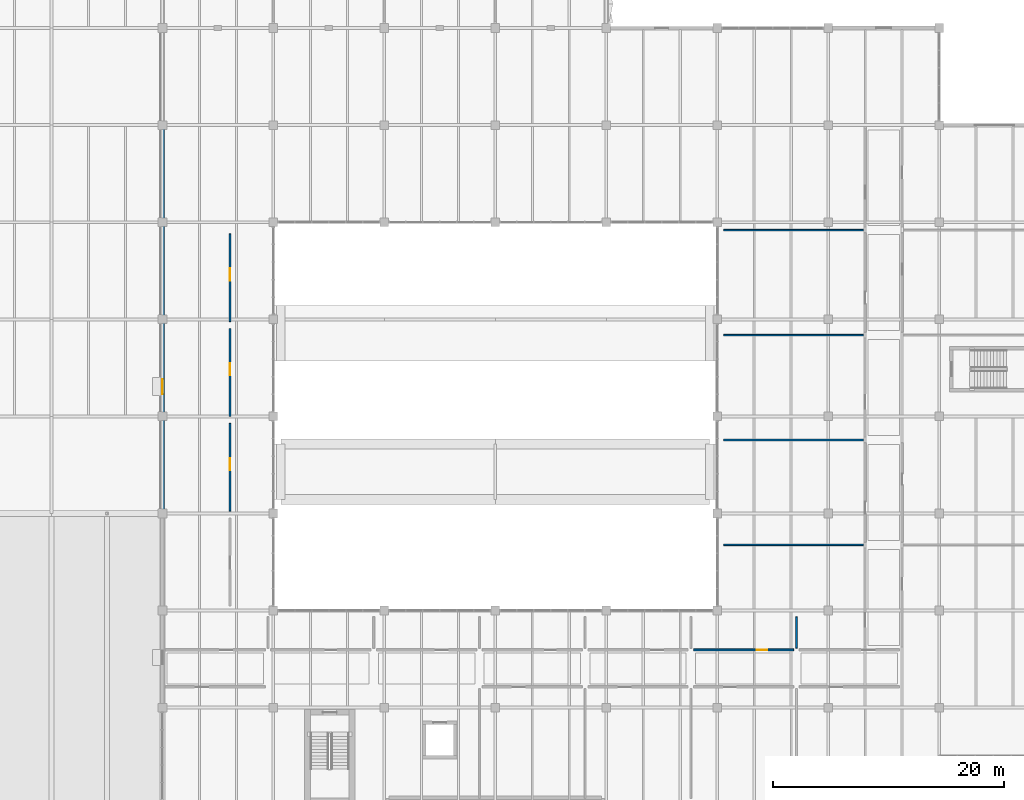
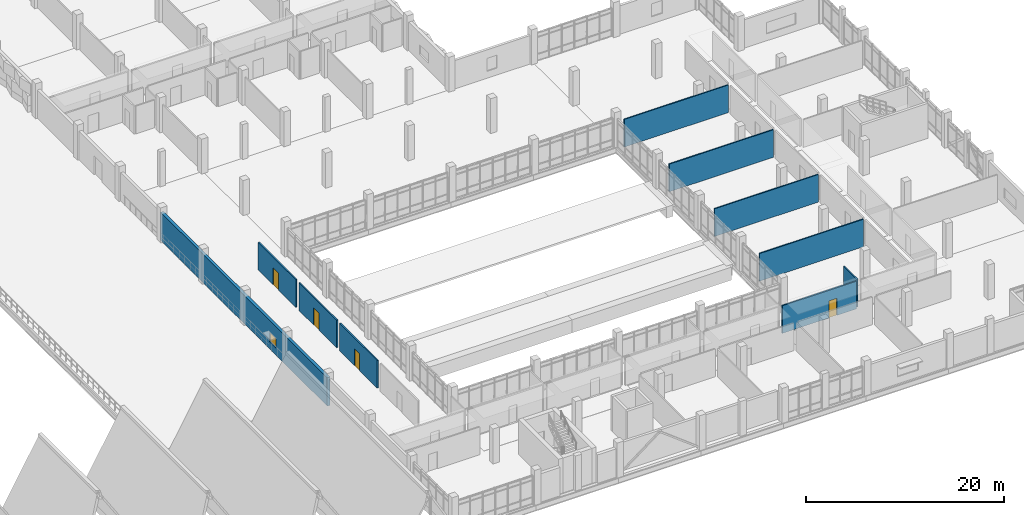
# One storey, part 61 of 86: 10 walls, 4 doors, 1 window, 5 openings.
"""IFC4 building model written with IfcOpenShell, lengths in metres."""

from ifc_helpers import new_model, si_unit, direction, frame, frame_2d, origin, place, context, subcontext, project, spatial, rectangle, extrude, material, layer, layer_set, type_object, element, fill, save


model = new_model("IFC4")

# Units and contexts
model_context = context("Model", 3, precision=1e-05, world=origin(), true_north=direction((0.0, 1.0)))
body_context = subcontext(model_context, "Body", "Model", "MODEL_VIEW")
ifc_project = project(units=[si_unit("LENGTHUNIT", "METRE"), si_unit("AREAUNIT", "SQUARE_METRE"), si_unit("VOLUMEUNIT", "CUBIC_METRE"), si_unit("PLANEANGLEUNIT", "RADIAN"), si_unit("MASSUNIT", "GRAM", prefix="KILO")], contexts=[model_context])

# Site, building, storey
site_placement = place(None, origin())
site = spatial("IfcSite", under=ifc_project, at=site_placement, CompositionType="ELEMENT")
building_placement = place(site_placement, origin())
building = spatial("IfcBuilding", under=site, at=building_placement, Name="Oolite Switchyard Hospital", CompositionType="ELEMENT")
storey_placement = place(building_placement, frame((0.0, 0.0, 13.5)))
storey = spatial("IfcBuildingStorey", under=building, at=storey_placement, Name="L03", CompositionType="ELEMENT", Elevation=13.5)

# Wall, opening, window
ifc_material_1 = material(Name="Precast oolitic limestone architectural concrete C40/50", Category="masonry")
ifc_layer_1 = layer(ifc_material_1, 0.320068359375)
ifc_layer_set_1 = layer_set([ifc_layer_1], Name="WAL-EXT-320")
wall_type_1 = type_object("IfcWallType", Name="WAL-EXT-320", PredefinedType="SOLIDWALL", material=ifc_layer_set_1)
wall_1_placement = place(storey_placement, frame((134.39990234375, 33.60009765625, 0.0), z_axis=(0.0, 0.0, 1.0), x_axis=(0.0, 1.0, 0.0)))
wall_1 = element("IfcWall", 1, at=wall_1_placement, inside=storey, type_object=wall_type_1, Name="L03 Exterior Spandrel Wall 238", PredefinedType="SOLIDWALL", context=body_context, shape_type="SweptSolid", body=[
    extrude(rectangle(XDim=33.599853515625, YDim=0.320068359375, at=frame_2d((16.7998046875, 0.0))), origin(), (0.0, 0.0, 1.0), 3.489990234375),
])
opening_1_placement = place(wall_1_placement, frame((10.3359375, 0.0, 0.85009765625)))
opening_1 = element("IfcOpeningElement", 2, at=opening_1_placement, cuts=wall_1, Name="Opening WN-0140", PredefinedType="OPENING", context=body_context, shape_type="SweptSolid", body=[
    extrude(rectangle(XDim=1.300048828125, YDim=1.199951171875, at=frame_2d((0.64990234375, 0.60009765625))), frame((0.0, 0.169921875, 0.0), z_axis=(0.0, -1.0, 0.0), x_axis=(1.0, 0.0, 0.0)), (0.0, 0.0, 1.0), 0.340087890625),
])
ifc_material_2 = material(Name="Thermally broken aluminum frame with laminated impact glazing", Category="aluminium")
window_type = type_object("IfcWindowType", Name="WIN-IMP-130X120", PartitioningType="SINGLE_PANEL", PredefinedType="WINDOW", material=ifc_material_2)
window_placement = place(opening_1_placement, origin())
window = element("IfcWindow", 3, at=window_placement, inside=storey, type_object=window_type, Name="L03 Hurricane Impact Window WN-0140", OverallHeight=1.199951171875, OverallWidth=1.300048828125, PartitioningType="SINGLE_PANEL", PredefinedType="WINDOW", context=body_context, shape_type="SweptSolid", body=[
    extrude(rectangle(XDim=1.300048828125, YDim=1.199951171875, at=frame_2d((0.64990234375, 0.60009765625))), frame((0.0, 0.030029296875, 0.0), z_axis=(0.0, -1.0, 0.0), x_axis=(1.0, 0.0, 0.0)), (0.0, 0.0, 1.0), 0.06005859375),
])
fill(opening_1, window)

# Walls
ifc_material_3 = material(Name="Moisture-resistant gypsum board on steel studs", Category="steel")
ifc_layer_2 = layer(ifc_material_3, 0.135009765625)
ifc_layer_set_2 = layer_set([ifc_layer_2], Name="WAL-PART-135")
wall_type_2 = type_object("IfcWallType", Name="WAL-PART-135", PredefinedType="PARTITIONING", material=ifc_layer_set_2)
wall_2_placement = place(storey_placement, frame((189.258056640625, 21.949951171875, 0.0), z_axis=(0.0, 0.0, 1.0), x_axis=(0.0, 1.0, 0.0)))
element("IfcWall", 4, at=wall_2_placement, inside=storey, type_object=wall_type_2, Name="L03 Interior Partition 723", PredefinedType="PARTITIONING", context=body_context, shape_type="SweptSolid", body=[
    extrude(rectangle(XDim=2.699951171875, YDim=0.135009765625, at=frame_2d((1.35009765625, 0.0))), origin(), (0.0, 0.0, 1.0), 3.39990234375),
])
for number, where, z_axis, x_axis, name in (
    (5, (182.949951171875, 30.8798828125, 0.0), (0.0, 0.0, 1.0), (1.0, 0.0, 0.0), "L03 Interior Partition 727"),
    (6, (182.949951171875, 39.9599609375, 0.0), (0.0, 0.0, 1.0), (1.0, 0.0, 0.0), "L03 Interior Partition 731"),
    (7, (182.949951171875, 49.0400390625, 0.0), (0.0, 0.0, 1.0), (1.0, 0.0, 0.0), "L03 Interior Partition 733"),
    (8, (182.949951171875, 58.1201171875, 0.0), (0.0, 0.0, 1.0), (1.0, 0.0, 0.0), "L03 Interior Partition 737"),
):
    element("IfcWall", number, at=place(storey_placement, frame(where, z_axis=z_axis, x_axis=x_axis)), inside=storey, type_object=wall_type_2, Name=name, PredefinedType="PARTITIONING", context=body_context, shape_type="SweptSolid", body=[
        extrude(rectangle(XDim=12.10009765625, YDim=0.135009765625, at=frame_2d((6.050048828125, 0.0))), origin(), (0.0, 0.0, 1.0), 3.39990234375),
    ])

# Wall, opening, door
ifc_layer_3 = layer(ifc_material_3, 0.14990234375)
ifc_layer_set_3 = layer_set([ifc_layer_3], Name="WAL-PART-150")
wall_type_3 = type_object("IfcWallType", Name="WAL-PART-150", PredefinedType="PARTITIONING", material=ifc_layer_set_3)
wall_3_placement = place(storey_placement, frame((140.25, 33.800048828125, 0.0), z_axis=(0.0, 0.0, 1.0), x_axis=(0.0, 1.0, 0.0)))
wall_3 = element("IfcWall", 9, at=wall_3_placement, inside=storey, type_object=wall_type_3, Name="L03 Interior Partition 982", PredefinedType="PARTITIONING", context=body_context, shape_type="SweptSolid", body=[
    extrude(rectangle(XDim=7.599853515625, YDim=0.14990234375, at=frame_2d((3.7998046875, 0.0))), origin(), (0.0, 0.0, 1.0), 3.39990234375),
])
opening_2_placement = place(wall_3_placement, frame((3.550048828125, 0.0, 0.0)))
opening_2 = element("IfcOpeningElement", 10, at=opening_2_placement, cuts=wall_3, Name="Opening D-0550", PredefinedType="OPENING", context=body_context, shape_type="SweptSolid", body=[
    extrude(rectangle(XDim=1.050048828125, YDim=2.10009765625, at=frame_2d((0.52490234375, 1.050048828125))), frame((0.0, 0.0849609375, 0.0), z_axis=(0.0, -1.0, 0.0), x_axis=(1.0, 0.0, 0.0)), (0.0, 0.0, 1.0), 0.169921875),
])
ifc_material_4 = material(Name="Solid-core antimicrobial hardwood leaf in steel frame", Category="steel")
door_type_1 = type_object("IfcDoorType", Name="DR-EXAM-105X210", OperationType="NOTDEFINED", PredefinedType="DOOR", material=ifc_material_4)
door_1_placement = place(opening_2_placement, origin())
door_1 = element("IfcDoor", 11, at=door_1_placement, inside=storey, type_object=door_type_1, Name="L03 Interior Door D-0550", OperationType="SINGLE_SWING_RIGHT", OverallHeight=2.10009765625, OverallWidth=1.050048828125, PredefinedType="DOOR", context=body_context, shape_type="SweptSolid", body=[
    extrude(rectangle(XDim=1.050048828125, YDim=2.10009765625, at=frame_2d((0.52490234375, 1.050048828125))), frame((0.0, 0.02490234375, 0.0), z_axis=(0.0, -1.0, 0.0), x_axis=(1.0, 0.0, 0.0)), (0.0, 0.0, 1.0), 0.050048828125),
])
fill(opening_2, door_1)

wall_4_placement = place(storey_placement, frame((140.25, 42.0, 0.0), z_axis=(0.0, 0.0, 1.0), x_axis=(0.0, 1.0, 0.0)))
wall_4 = element("IfcWall", 12, at=wall_4_placement, inside=storey, type_object=wall_type_3, Name="L03 Interior Partition 983", PredefinedType="PARTITIONING", context=body_context, shape_type="SweptSolid", body=[
    extrude(rectangle(XDim=7.60009765625, YDim=0.14990234375, at=frame_2d((3.800048828125, 0.0))), origin(), (0.0, 0.0, 1.0), 3.39990234375),
])
opening_3_placement = place(wall_4_placement, frame((3.550048828125, 0.0, 0.0)))
opening_3 = element("IfcOpeningElement", 13, at=opening_3_placement, cuts=wall_4, Name="Opening D-0551", PredefinedType="OPENING", context=body_context, shape_type="SweptSolid", body=[
    extrude(rectangle(XDim=1.050048828125, YDim=2.10009765625, at=frame_2d((0.52490234375, 1.050048828125))), frame((0.0, 0.0849609375, 0.0), z_axis=(0.0, -1.0, 0.0), x_axis=(1.0, 0.0, 0.0)), (0.0, 0.0, 1.0), 0.169921875),
])
door_2_placement = place(opening_3_placement, origin())
door_2 = element("IfcDoor", 14, at=door_2_placement, inside=storey, type_object=door_type_1, Name="L03 Interior Door D-0551", OperationType="SINGLE_SWING_LEFT", OverallHeight=2.10009765625, OverallWidth=1.050048828125, PredefinedType="DOOR", context=body_context, shape_type="SweptSolid", body=[
    extrude(rectangle(XDim=1.050048828125, YDim=2.10009765625, at=frame_2d((0.52490234375, 1.050048828125))), frame((0.0, 0.02490234375, 0.0), z_axis=(0.0, -1.0, 0.0), x_axis=(1.0, 0.0, 0.0)), (0.0, 0.0, 1.0), 0.050048828125),
])
fill(opening_3, door_2)

wall_5_placement = place(storey_placement, frame((140.25, 50.199951171875, 0.0), z_axis=(0.0, 0.0, 1.0), x_axis=(0.0, 1.0, 0.0)))
wall_5 = element("IfcWall", 15, at=wall_5_placement, inside=storey, type_object=wall_type_3, Name="L03 Interior Partition 984", PredefinedType="PARTITIONING", context=body_context, shape_type="SweptSolid", body=[
    extrude(rectangle(XDim=7.60009765625, YDim=0.14990234375, at=frame_2d((3.800048828125, 0.0))), origin(), (0.0, 0.0, 1.0), 3.39990234375),
])
opening_4_placement = place(wall_5_placement, frame((3.550048828125, 0.0, 0.0)))
opening_4 = element("IfcOpeningElement", 16, at=opening_4_placement, cuts=wall_5, Name="Opening D-0552", PredefinedType="OPENING", context=body_context, shape_type="SweptSolid", body=[
    extrude(rectangle(XDim=1.050048828125, YDim=2.10009765625, at=frame_2d((0.52490234375, 1.050048828125))), frame((0.0, 0.0849609375, 0.0), z_axis=(0.0, -1.0, 0.0), x_axis=(1.0, 0.0, 0.0)), (0.0, 0.0, 1.0), 0.169921875),
])
door_3_placement = place(opening_4_placement, origin())
door_3 = element("IfcDoor", 17, at=door_3_placement, inside=storey, type_object=door_type_1, Name="L03 Interior Door D-0552", OperationType="SINGLE_SWING_RIGHT", OverallHeight=2.10009765625, OverallWidth=1.050048828125, PredefinedType="DOOR", context=body_context, shape_type="SweptSolid", body=[
    extrude(rectangle(XDim=1.050048828125, YDim=2.10009765625, at=frame_2d((0.52490234375, 1.050048828125))), frame((0.0, 0.02490234375, 0.0), z_axis=(0.0, -1.0, 0.0), x_axis=(1.0, 0.0, 0.0)), (0.0, 0.0, 1.0), 0.050048828125),
])
fill(opening_4, door_3)

ifc_layer_4 = layer(ifc_material_3, 0.1650390625)
ifc_layer_set_4 = layer_set([ifc_layer_4], Name="WAL-PART-165")
wall_type_4 = type_object("IfcWallType", Name="WAL-PART-165", PredefinedType="PARTITIONING", material=ifc_layer_set_4)
wall_6_placement = place(storey_placement, frame((180.364990234375, 21.800048828125, 0.0), z_axis=(0.0, 0.0, 1.0), x_axis=(1.0, 0.0, 0.0)))
wall_6 = element("IfcWall", 18, at=wall_6_placement, inside=storey, type_object=wall_type_4, Name="L03 Interior Partition 718", PredefinedType="PARTITIONING", context=body_context, shape_type="SweptSolid", body=[
    extrude(rectangle(XDim=8.64306640625, YDim=0.1650390625, at=frame_2d((4.321533203125, 0.0))), origin(), (0.0, 0.0, 1.0), 3.39990234375),
])
opening_5_placement = place(wall_6_placement, frame((5.449951171875, 0.0, 0.0)))
opening_5 = element("IfcOpeningElement", 19, at=opening_5_placement, cuts=wall_6, Name="Opening D-0400", PredefinedType="OPENING", context=body_context, shape_type="SweptSolid", body=[
    extrude(rectangle(XDim=0.89990234375, YDim=2.10009765625, at=frame_2d((0.449951171875, 1.050048828125))), frame((0.0, 0.092529296875, 0.0), z_axis=(0.0, -1.0, 0.0), x_axis=(1.0, 0.0, 0.0)), (0.0, 0.0, 1.0), 0.18505859375),
])
door_type_2 = type_object("IfcDoorType", Name="DR-BATH-090X210", OperationType="NOTDEFINED", PredefinedType="DOOR", material=ifc_material_4)
door_4_placement = place(opening_5_placement, origin())
door_4 = element("IfcDoor", 20, at=door_4_placement, inside=storey, type_object=door_type_2, Name="L03 Interior Door D-0400", OperationType="SINGLE_SWING_LEFT", OverallHeight=2.10009765625, OverallWidth=0.89990234375, PredefinedType="DOOR", context=body_context, shape_type="SweptSolid", body=[
    extrude(rectangle(XDim=0.89990234375, YDim=2.10009765625, at=frame_2d((0.449951171875, 1.050048828125))), frame((0.0, 0.02490234375, 0.0), z_axis=(0.0, -1.0, 0.0), x_axis=(1.0, 0.0, 0.0)), (0.0, 0.0, 1.0), 0.050048828125),
])
fill(opening_5, door_4)

save(model, "model.ifc")
